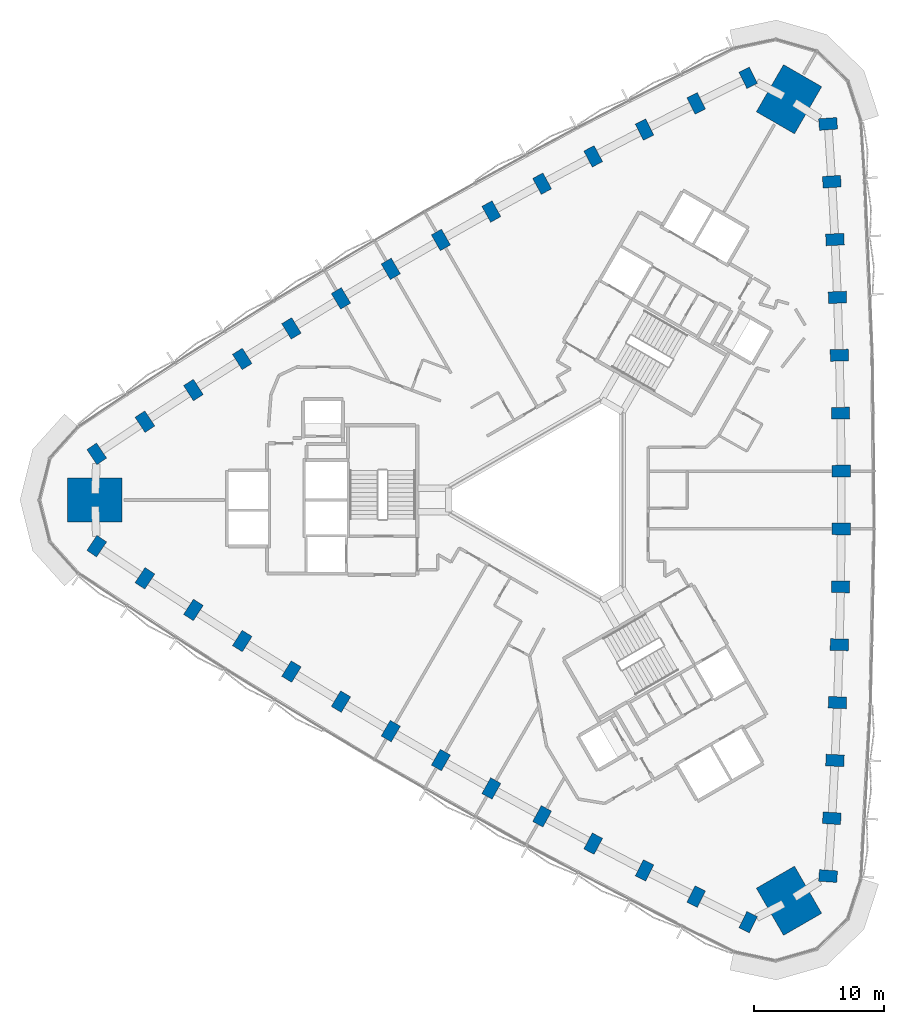
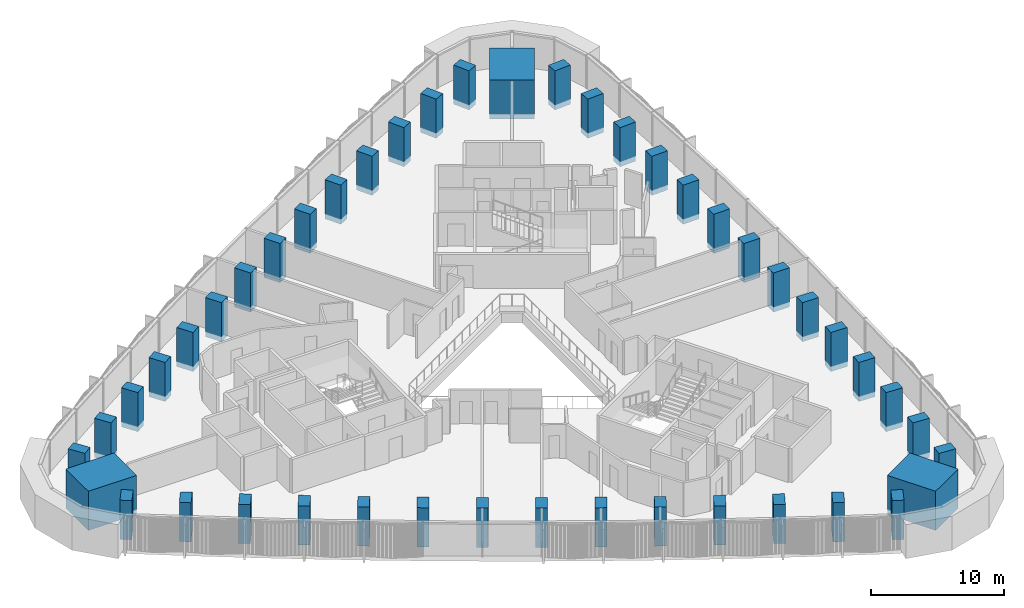
# One storey, part 1 of 15: 45 columns.
"""IFC4 building model written with IfcOpenShell, lengths in metres."""

from ifc_helpers import new_model, si_unit, direction, frame, origin, origin_2d, place, context, subcontext, project, spatial, rectangle, extrude, material, material_profile, profile_set, type_object, element, save


model = new_model("IFC4")

# Units and contexts
model_context = context("Model", 3, precision=1e-05, world=origin(), true_north=direction((0.0, 1.0)))
body_context = subcontext(model_context, "Body", "Model", "MODEL_VIEW")
ifc_project = project(units=[si_unit("LENGTHUNIT", "METRE"), si_unit("AREAUNIT", "SQUARE_METRE"), si_unit("VOLUMEUNIT", "CUBIC_METRE"), si_unit("PLANEANGLEUNIT", "RADIAN"), si_unit("MASSUNIT", "GRAM", prefix="KILO")], contexts=[model_context])

# Site, building, storey
site_placement = place(None, origin())
site = spatial("IfcSite", under=ifc_project, at=site_placement, CompositionType="ELEMENT")
building_placement = place(site_placement, origin())
building = spatial("IfcBuilding", under=site, at=building_placement, Name="Tamra Quay Hotel Tower", CompositionType="ELEMENT")
storey_placement = place(building_placement, frame((0.0, 0.0, 53.0)))
storey = spatial("IfcBuildingStorey", under=building, at=storey_placement, Name="L11", CompositionType="ELEMENT", Elevation=53.0)

# Columns
ifc_material = material(Name="Concrete M70", Category="concrete")
ifc_material_profile_1 = material_profile(ifc_material, rectangle(XDim=1.39990234375, YDim=0.89990234375, at=origin_2d()), Name="COLUMN RC 900x1400 Z1")
ifc_profile_set_1 = profile_set([ifc_material_profile_1], Name="Concrete M70")
column_type_1 = type_object("IfcColumnType", Name="COLUMN RC 900x1400 Z1", PredefinedType="COLUMN", material=ifc_profile_set_1)
for number, where, z_axis, x_axis, name in (
    (1, (20.87890625, -29.033935546875, -0.47509765625), (0.0, 0.0, 1.0), (-0.997561736499, 0.069789554182, 0.0), "COL-C1E01-L11"),
    (2, (21.168701171875, -24.572509765625, -0.47509765625), (0.0, 0.0, 1.0), (-0.998214376921, 0.059733221148, 0.0), "COL-C1E02-L11"),
    (3, (21.410400390625, -20.10888671875, -0.47509765625), (0.0, 0.0, 1.0), (-0.998830734492, 0.048344222345, 0.0), "COL-C1E03-L11"),
    (4, (21.60400390625, -15.642578125, -0.47509765625), (0.0, 0.0, 1.0), (-0.999284860458, 0.037812268629, 0.0), "COL-C1E04-L11"),
    (5, (21.7490234375, -11.17431640625, -0.47509765625), (0.0, 0.0, 1.0), (-0.999628128016, 0.02726913418, 0.0), "COL-C1E05-L11"),
    (6, (21.845947265625, -6.70556640625, -0.47509765625), (0.0, 0.0, 1.0), (-0.999874567832, 0.015838200722, 0.0), "COL-C1E06-L11"),
    (7, (21.894287109375, -2.2353515625, -0.47509765625), (0.0, 0.0, 1.0), (-0.999986062833, 0.00527959646, 0.0), "COL-C1E07-L11"),
    (8, (21.894287109375, 2.2353515625, -0.47509765625), (0.0, 0.0, 1.0), (0.999986062833, 0.00527959646, 0.0), "COL-C1E08-L11"),
    (9, (21.845947265625, 6.70556640625, -0.47509765625), (0.0, 0.0, 1.0), (0.999874567832, 0.015838200722, 0.0), "COL-C1E09-L11"),
    (10, (21.7490234375, 11.17431640625, -0.47509765625), (0.0, 0.0, 1.0), (0.999628128016, 0.02726913418, 0.0), "COL-C1E10-L11"),
    (11, (21.60400390625, 15.642578125, -0.47509765625), (0.0, 0.0, 1.0), (0.999284860458, 0.037812268629, 0.0), "COL-C1E11-L11"),
    (12, (21.410400390625, 20.10888671875, -0.47509765625), (0.0, 0.0, 1.0), (0.998830734492, 0.048344222345, 0.0), "COL-C1E12-L11"),
    (13, (21.168701171875, 24.572509765625, -0.47509765625), (0.0, 0.0, 1.0), (0.998214376921, 0.059733221148, 0.0), "COL-C1E13-L11"),
    (14, (20.87890625, 29.033935546875, -0.47509765625), (0.0, 0.0, 1.0), (0.997561736499, 0.069789554182, 0.0), "COL-C1E14-L11"),
    (15, (14.70458984375, 32.5986328125, -0.47509765625), (0.0, 0.0, 1.0), (-0.438341341409, 0.898808582743, 0.0), "COL-C1NW01-L11"),
    (16, (10.69580078125, 30.618896484375, -0.47509765625), (0.0, 0.0, 1.0), (-0.447376701496, 0.89434561941, 0.0), "COL-C1NW02-L11"),
    (17, (6.709716796875, 28.596435546875, -0.47509765625), (0.0, 0.0, 1.0), (-0.457548042569, 0.889184901323, 0.0), "COL-C1NW03-L11"),
    (18, (2.744873046875, 26.53076171875, -0.47509765625), (0.0, 0.0, 1.0), (-0.466896045022, 0.884312209088, 0.0), "COL-C1NW04-L11"),
    (19, (-1.197265625, 24.422607421875, -0.47509765625), (0.0, 0.0, 1.0), (-0.476198301069, 0.879337920289, 0.0), "COL-C1NW05-L11"),
    (20, (-5.11572265625, 22.27197265625, -0.47509765625), (0.0, 0.0, 1.0), (-0.486220999741, 0.873835876702, 0.0), "COL-C1NW06-L11"),
    (21, (-9.011474609375, 20.07861328125, -0.47509765625), (0.0, 0.0, 1.0), (-0.495420766761, 0.868653132074, 0.0), "COL-C1NW07-L11"),
    (22, (-12.883056640625, 17.843505859375, -0.47509765625), (0.0, 0.0, 1.0), (-0.504565296072, 0.863373535614, 0.0), "COL-C1NW08-L11"),
    (23, (-16.72998046875, 15.56640625, -0.47509765625), (0.0, 0.0, 1.0), (-0.513653568092, 0.85799767598, 0.0), "COL-C1NW09-L11"),
    (24, (-20.552001953125, 13.248046875, -0.47509765625), (0.0, 0.0, 1.0), (-0.523429826947, 0.85206878611, 0.0), "COL-C1NW10-L11"),
    (25, (-24.348876953125, 10.88818359375, -0.47509765625), (0.0, 0.0, 1.0), (-0.532388815436, 0.84649994046, 0.0), "COL-C1NW11-L11"),
    (26, (-28.1201171875, 8.487548828125, -0.47509765625), (0.0, 0.0, 1.0), (-0.541282691923, 0.840840678978, 0.0), "COL-C1NW12-L11"),
    (27, (-31.86474609375, 6.04638671875, -0.47509765625), (0.0, 0.0, 1.0), (-0.550837675425, 0.834612398262, 0.0), "COL-C1NW13-L11"),
    (28, (-35.58349609375, 3.564697265625, -0.47509765625), (0.0, 0.0, 1.0), (-0.55922039509, 0.82901902856, 0.0), "COL-C1NW14-L11"),
    (29, (-35.58349609375, -3.564697265625, -0.47509765625), (0.0, 0.0, 1.0), (0.55922039509, 0.82901902856, 0.0), "COL-C1SW01-L11"),
    (30, (-31.86474609375, -6.04638671875, -0.47509765625), (0.0, 0.0, 1.0), (0.550837675425, 0.834612398262, 0.0), "COL-C1SW02-L11"),
    (31, (-28.1201171875, -8.487548828125, -0.47509765625), (0.0, 0.0, 1.0), (0.541282691923, 0.840840678978, 0.0), "COL-C1SW03-L11"),
    (32, (-24.348876953125, -10.88818359375, -0.47509765625), (0.0, 0.0, 1.0), (0.532388815436, 0.84649994046, 0.0), "COL-C1SW04-L11"),
    (33, (-20.552001953125, -13.248046875, -0.47509765625), (0.0, 0.0, 1.0), (0.523429826947, 0.85206878611, 0.0), "COL-C1SW05-L11"),
    (34, (-16.72998046875, -15.56640625, -0.47509765625), (0.0, 0.0, 1.0), (0.513653568092, 0.85799767598, 0.0), "COL-C1SW06-L11"),
    (35, (-12.883056640625, -17.843505859375, -0.47509765625), (0.0, 0.0, 1.0), (0.504565296072, 0.863373535614, 0.0), "COL-C1SW07-L11"),
    (36, (-9.011474609375, -20.07861328125, -0.47509765625), (0.0, 0.0, 1.0), (0.495420766761, 0.868653132074, 0.0), "COL-C1SW08-L11"),
    (37, (-5.11572265625, -22.27197265625, -0.47509765625), (0.0, 0.0, 1.0), (0.486220999741, 0.873835876702, 0.0), "COL-C1SW09-L11"),
    (38, (-1.197265625, -24.422607421875, -0.47509765625), (0.0, 0.0, 1.0), (0.476198301069, 0.879337920289, 0.0), "COL-C1SW10-L11"),
    (39, (2.744873046875, -26.53076171875, -0.47509765625), (0.0, 0.0, 1.0), (0.466896045022, 0.884312209088, 0.0), "COL-C1SW11-L11"),
    (40, (6.709716796875, -28.596435546875, -0.47509765625), (0.0, 0.0, 1.0), (0.457548042569, 0.889184901323, 0.0), "COL-C1SW12-L11"),
    (41, (10.69580078125, -30.618896484375, -0.47509765625), (0.0, 0.0, 1.0), (0.447376701496, 0.89434561941, 0.0), "COL-C1SW13-L11"),
    (42, (14.70458984375, -32.5986328125, -0.47509765625), (0.0, 0.0, 1.0), (0.438341341409, 0.898808582743, 0.0), "COL-C1SW14-L11"),
):
    element("IfcColumn", number, at=place(storey_placement, frame(where, z_axis=z_axis, x_axis=x_axis)), inside=storey, type_object=column_type_1, Name=name, PredefinedType="COLUMN", context=body_context, shape_type="SweptSolid", body=[
        extrude(rectangle(XDim=1.39990234375, YDim=0.89990234375, at=origin_2d()), origin(), (0.0, 0.0, 1.0), 3.60009765625),
    ])
ifc_material_profile_2 = material_profile(ifc_material, rectangle(XDim=4.199951171875, YDim=3.39990234375, at=origin_2d()), Name="MEGA COLUMN RC 3400x4200 Z1")
ifc_profile_set_2 = profile_set([ifc_material_profile_2], Name="Concrete M70")
column_type_2 = type_object("IfcColumnType", Name="MEGA COLUMN RC 3400x4200 Z1", PredefinedType="COLUMN", material=ifc_profile_set_2)
for number, where, z_axis, x_axis, name in (
    (43, (17.864501953125, 30.942138671875, -0.47509765625), (0.0, 0.0, 1.0), (0.5, 0.866025403784, 0.0), "COL-M1NE-L11"),
    (44, (-35.72900390625, 0.0, -0.47509765625), (0.0, 0.0, 1.0), (1.0, 0.0, 0.0), "COL-M1W-L11"),
    (45, (17.864501953125, -30.942138671875, -0.47509765625), (0.0, 0.0, 1.0), (-0.5, 0.866025403784, 0.0), "COL-M1SE-L11"),
):
    element("IfcColumn", number, at=place(storey_placement, frame(where, z_axis=z_axis, x_axis=x_axis)), inside=storey, type_object=column_type_2, Name=name, PredefinedType="COLUMN", context=body_context, shape_type="SweptSolid", body=[
        extrude(rectangle(XDim=4.199951171875, YDim=3.39990234375, at=origin_2d()), origin(), (0.0, 0.0, 1.0), 3.60009765625),
    ])

save(model, "model.ifc")
